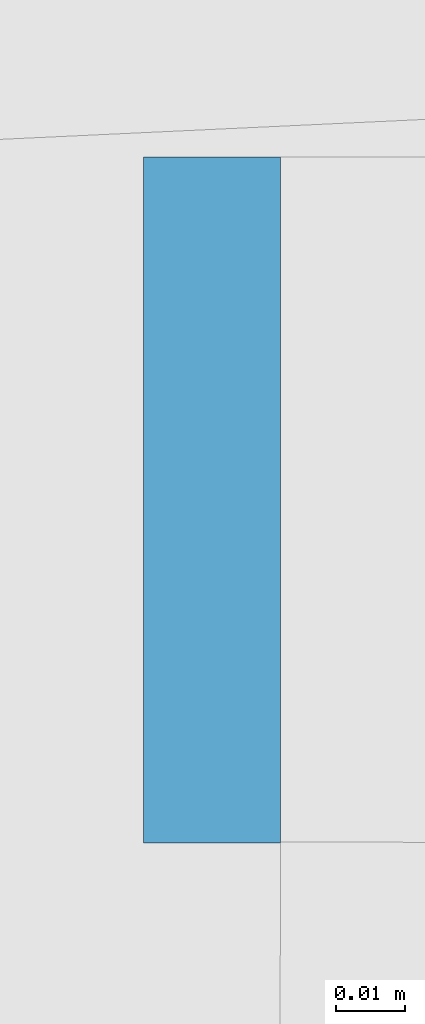
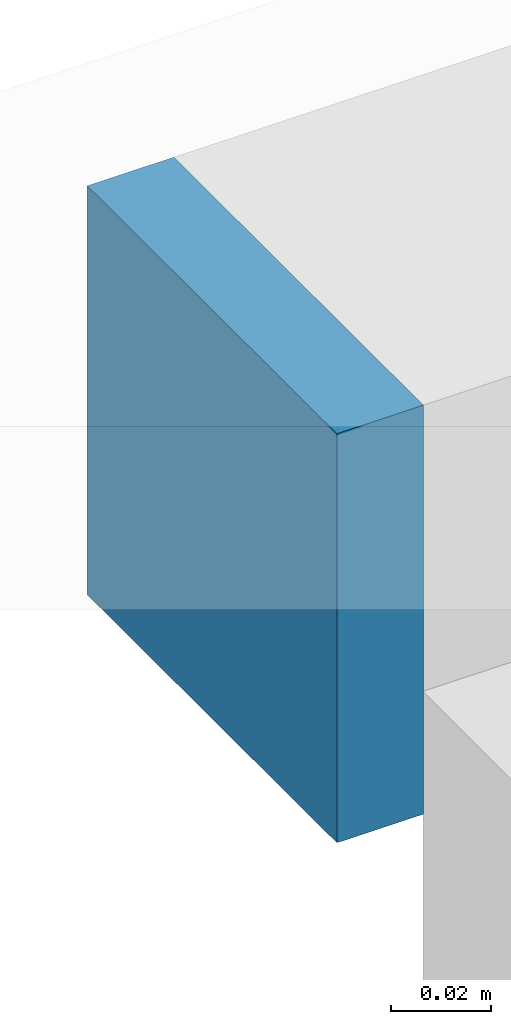
# One storey, part 21 of 36: 1 discrete accessory.
"""IFC4 building model written with IfcOpenShell, lengths in metres."""

from ifc_helpers import new_model, si_unit, direction, frame, origin, origin_2d, place, context, subcontext, project, spatial, rectangle, extrude, material, material_profile, profile_set, type_object, element, save


model = new_model("IFC4")

# Units and contexts
model_context = context("Model", 3, precision=1e-05, world=origin(), true_north=direction((0.0, 1.0)))
body_context = subcontext(model_context, "Body", "Model", "MODEL_VIEW")
ifc_project = project(units=[si_unit("LENGTHUNIT", "METRE"), si_unit("AREAUNIT", "SQUARE_METRE"), si_unit("VOLUMEUNIT", "CUBIC_METRE"), si_unit("PLANEANGLEUNIT", "RADIAN"), si_unit("MASSUNIT", "GRAM", prefix="KILO")], contexts=[model_context])

# Site, building, storey
site_placement = place(None, origin())
site = spatial("IfcSite", under=ifc_project, at=site_placement, CompositionType="ELEMENT")
building_placement = place(site_placement, origin())
building = spatial("IfcBuilding", under=site, at=building_placement, Name="Ipe Terrace Towers", CompositionType="ELEMENT")
storey_placement = place(building_placement, frame((0.0, 0.0, 264.89990234375)))
storey = spatial("IfcBuildingStorey", under=building, at=storey_placement, Name="Roof", CompositionType="ELEMENT", Elevation=264.89990234375)

# Discrete accessory
ifc_material = material(Name="Steel S355", Category="steel")
ifc_material_profile = material_profile(ifc_material, rectangle(XDim=0.10009765625, YDim=0.10009765625, at=origin_2d()), Name="MAST END PLATE 100 x 100 x 20")
ifc_profile_set = profile_set([ifc_material_profile], Name="Steel S355")
discrete_accessory_type = type_object("IfcDiscreteAccessoryType", Name="MAST END PLATE 100 x 100 x 20", PredefinedType="BRACKET", material=ifc_profile_set)
discrete_accessory_placement = place(storey_placement, frame((-37.0390625, 2.0390625, 32.3720703125), z_axis=(-1.0, 0.0, 0.0), x_axis=(0.0, -1.0, 0.0)))
element("IfcDiscreteAccessory", 1, at=discrete_accessory_placement, inside=storey, type_object=discrete_accessory_type, Name="mast end plate", PredefinedType="BRACKET", context=body_context, shape_type="SweptSolid", body=[
    extrude(rectangle(XDim=0.10009765625, YDim=0.10009765625, at=origin_2d()), origin(), (0.0, 0.0, 1.0), 0.02001953125),
])

save(model, "model.ifc")
